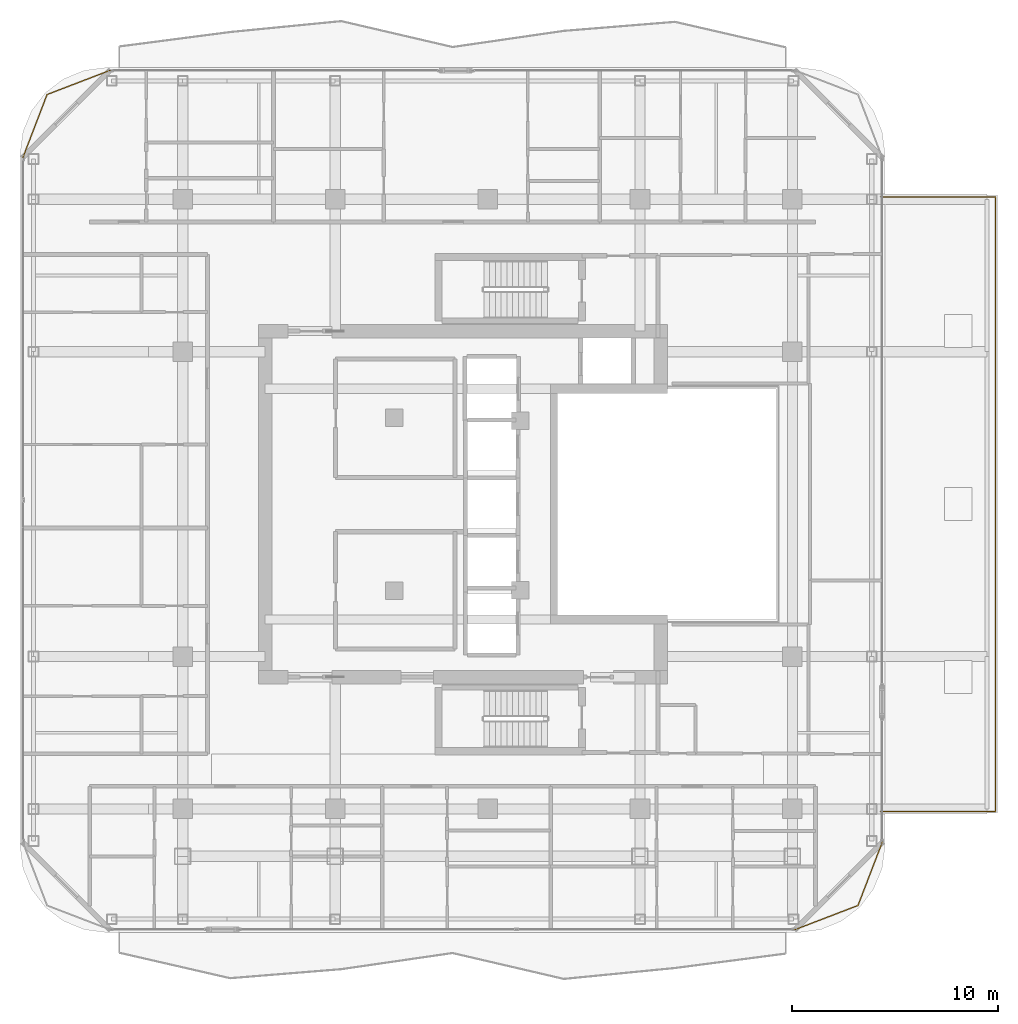
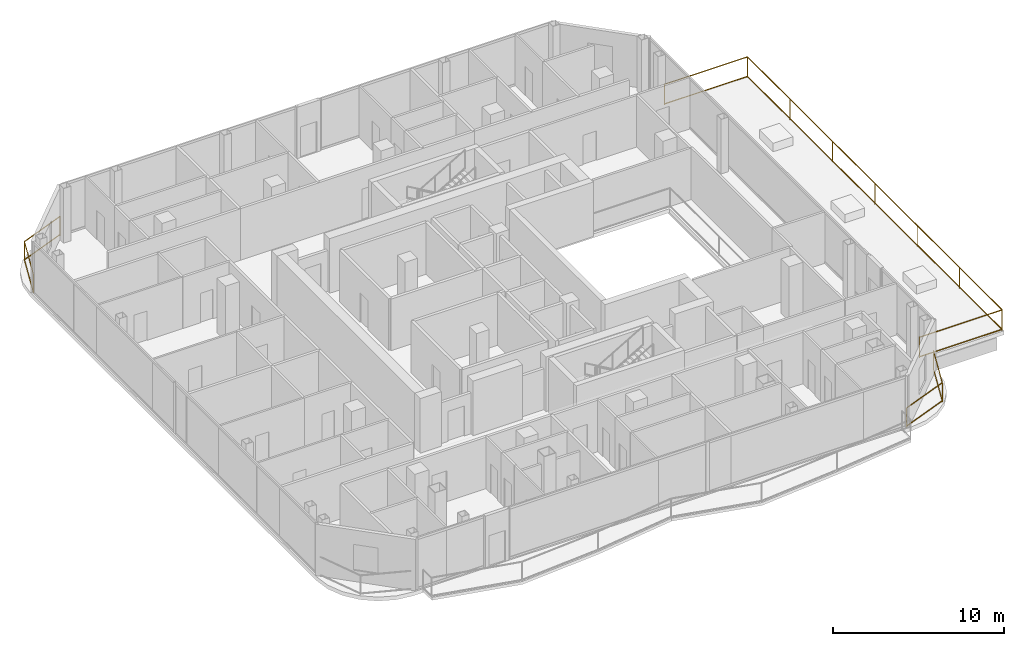
# One storey, part 23 of 24: 3 railings.
"""IFC4 building model written with IfcOpenShell, lengths in metres."""

from ifc_helpers import new_model, si_unit, direction, frame, origin, origin_2d, place, context, subcontext, project, spatial, rectangle, extrude, material, type_object, element, save


model = new_model("IFC4")

# Units and contexts
model_context = context("Model", 3, precision=1e-05, world=origin(), true_north=direction((0.0, 1.0)))
body_context = subcontext(model_context, "Body", "Model", "MODEL_VIEW")
ifc_project = project(units=[si_unit("LENGTHUNIT", "METRE"), si_unit("AREAUNIT", "SQUARE_METRE"), si_unit("VOLUMEUNIT", "CUBIC_METRE"), si_unit("PLANEANGLEUNIT", "RADIAN"), si_unit("MASSUNIT", "GRAM", prefix="KILO")], contexts=[model_context])

# Site, building, storey
site_placement = place(None, origin())
site = spatial("IfcSite", under=ifc_project, at=site_placement, CompositionType="ELEMENT")
building_placement = place(site_placement, origin())
building = spatial("IfcBuilding", under=site, at=building_placement, Name="Khorvyn Point Tower", CompositionType="ELEMENT")
storey_placement = place(building_placement, frame((0.0, 0.0, 285.89990234375)))
storey = spatial("IfcBuildingStorey", under=building, at=storey_placement, Name="L70", CompositionType="ELEMENT", Elevation=285.89990234375)

# Railings
ifc_material_1 = material(Name="Anodised aluminium 6063-T6 and laminated safety glass", Category="aluminium")
railing_type_1 = type_object("IfcRailingType", Name="Laminated Glass and Aluminium Balcony Guardrail 1400", PredefinedType="BALUSTRADE", material=ifc_material_1)
railing_1_placement = place(storey_placement, frame((-18.28662109375, 21.074462890625, 0.0)))
element("IfcRailing", 1, at=railing_1_placement, inside=storey, type_object=railing_type_1, Name="L70 Rounded Corner Edge Guardrail NW", PredefinedType="BALUSTRADE", context=body_context, shape_type="SweptSolid", body=[
    extrude(rectangle(XDim=0.048095703125, YDim=0.048095703125, at=origin_2d()), frame((0.0, 0.0, 1.3759765625), z_axis=(-0.93357103624, -0.358392411044, 0.0), x_axis=(0.358392411044, -0.93357103624, 0.0)), (0.0, 0.0, 1.0), 3.31884765625),
    extrude(rectangle(XDim=0.048095703125, YDim=0.048095703125, at=origin_2d()), frame((0.0, 0.0, 0.080078125), z_axis=(-0.93357103624, -0.358392411044, 0.0), x_axis=(0.358392411044, -0.93357103624, 0.0)), (0.0, 0.0, 1.0), 3.31884765625),
    extrude(rectangle(XDim=0.048095703125, YDim=0.048095703125, at=origin_2d()), frame((-3.098388671875, -1.189453125, 1.3759765625), z_axis=(-0.358392411044, -0.93357103624, 0.0), x_axis=(0.93357103624, -0.358392411044, 0.0)), (0.0, 0.0, 1.0), 3.31884765625),
    extrude(rectangle(XDim=0.048095703125, YDim=0.048095703125, at=origin_2d()), frame((-3.098388671875, -1.189453125, 0.080078125), z_axis=(-0.358392411044, -0.93357103624, 0.0), x_axis=(0.93357103624, -0.358392411044, 0.0)), (0.0, 0.0, 1.0), 3.31884765625),
    extrude(rectangle(XDim=0.0419921875, YDim=0.0419921875, at=origin_2d()), origin(), (0.0, 0.0, 1.0), 1.351806640625),
    extrude(rectangle(XDim=0.0419921875, YDim=0.0419921875, at=origin_2d()), frame((-3.098388671875, -1.189453125, 0.0)), (0.0, 0.0, 1.0), 1.351806640625),
    extrude(rectangle(XDim=0.0419921875, YDim=0.0419921875, at=origin_2d()), frame((-4.287841796875, -4.287841796875, 0.0)), (0.0, 0.0, 1.0), 1.351806640625),
])
railing_2_placement = place(storey_placement, frame((14.886474609375, -20.67431640625, 0.0)))
element("IfcRailing", 2, at=railing_2_placement, inside=storey, type_object=railing_type_1, Name="L70 Rounded Corner Edge Guardrail SE", PredefinedType="BALUSTRADE", context=body_context, shape_type="SweptSolid", body=[
    extrude(rectangle(XDim=0.048095703125, YDim=0.048095703125, at=origin_2d()), frame((0.0, 0.0, 1.3759765625), z_axis=(0.933605091831, 0.358303687544, 0.0), x_axis=(-0.358303687544, 0.933605091831, 0.0)), (0.0, 0.0, 1.0), 3.319091796875),
    extrude(rectangle(XDim=0.048095703125, YDim=0.048095703125, at=origin_2d()), frame((0.0, 0.0, 0.080078125), z_axis=(0.933605091831, 0.358303687544, 0.0), x_axis=(-0.358303687544, 0.933605091831, 0.0)), (0.0, 0.0, 1.0), 3.319091796875),
    extrude(rectangle(XDim=0.048095703125, YDim=0.048095703125, at=origin_2d()), frame((3.0986328125, 1.189208984375, 1.3759765625), z_axis=(0.358303687544, 0.933605091831, 0.0), x_axis=(-0.933605091831, 0.358303687544, 0.0)), (0.0, 0.0, 1.0), 3.319091796875),
    extrude(rectangle(XDim=0.048095703125, YDim=0.048095703125, at=origin_2d()), frame((3.0986328125, 1.189208984375, 0.080078125), z_axis=(0.358303687544, 0.933605091831, 0.0), x_axis=(-0.933605091831, 0.358303687544, 0.0)), (0.0, 0.0, 1.0), 3.319091796875),
    extrude(rectangle(XDim=0.0419921875, YDim=0.0419921875, at=origin_2d()), origin(), (0.0, 0.0, 1.0), 1.351806640625),
    extrude(rectangle(XDim=0.0419921875, YDim=0.0419921875, at=origin_2d()), frame((3.0986328125, 1.189208984375, 0.0)), (0.0, 0.0, 1.0), 1.351806640625),
    extrude(rectangle(XDim=0.0419921875, YDim=0.0419921875, at=origin_2d()), frame((4.287841796875, 4.287841796875, 0.0)), (0.0, 0.0, 1.0), 1.351806640625),
])
ifc_material_2 = material(Name="Stainless steel 1.4401", Category="steel")
railing_type_2 = type_object("IfcRailingType", Name="School Terrace Anti-Climb Safety Guardrail 1500", PredefinedType="GUARDRAIL", material=ifc_material_2)
railing_3_placement = place(storey_placement, frame((19.070068359375, -14.919921875, 0.0)))
element("IfcRailing", 3, at=railing_3_placement, inside=storey, type_object=railing_type_2, Name="L70 Setback Terrace Guardrail", PredefinedType="GUARDRAIL", context=body_context, shape_type="SweptSolid", body=[
    extrude(rectangle(XDim=0.048095703125, YDim=0.048095703125, at=origin_2d()), frame((0.0, 0.0, 1.47607421875), z_axis=(1.0, 0.0, 0.0), x_axis=(0.0, 1.0, 0.0)), (0.0, 0.0, 1.0), 5.599853515625),
    extrude(rectangle(XDim=0.048095703125, YDim=0.048095703125, at=origin_2d()), frame((0.0, 0.0, 0.080078125), z_axis=(1.0, 0.0, 0.0), x_axis=(0.0, 1.0, 0.0)), (0.0, 0.0, 1.0), 5.599853515625),
    extrude(rectangle(XDim=0.048095703125, YDim=0.048095703125, at=origin_2d()), frame((5.599853515625, 0.0, 1.47607421875), z_axis=(0.0, 1.0, 0.0), x_axis=(-1.0, 0.0, 0.0)), (0.0, 0.0, 1.0), 29.83984375),
    extrude(rectangle(XDim=0.048095703125, YDim=0.048095703125, at=origin_2d()), frame((5.599853515625, 0.0, 0.080078125), z_axis=(0.0, 1.0, 0.0), x_axis=(-1.0, 0.0, 0.0)), (0.0, 0.0, 1.0), 29.83984375),
    extrude(rectangle(XDim=0.048095703125, YDim=0.048095703125, at=origin_2d()), frame((5.599853515625, 29.83984375, 1.47607421875), z_axis=(-1.0, 0.0, 0.0), x_axis=(0.0, -1.0, 0.0)), (0.0, 0.0, 1.0), 5.599853515625),
    extrude(rectangle(XDim=0.048095703125, YDim=0.048095703125, at=origin_2d()), frame((5.599853515625, 29.83984375, 0.080078125), z_axis=(-1.0, 0.0, 0.0), x_axis=(0.0, -1.0, 0.0)), (0.0, 0.0, 1.0), 5.599853515625),
    extrude(rectangle(XDim=0.0419921875, YDim=0.0419921875, at=origin_2d()), origin(), (0.0, 0.0, 1.0), 1.451904296875),
    extrude(rectangle(XDim=0.0419921875, YDim=0.0419921875, at=origin_2d()), frame((5.599853515625, 0.0, 0.0)), (0.0, 0.0, 1.0), 1.451904296875),
    extrude(rectangle(XDim=0.0419921875, YDim=0.0419921875, at=origin_2d()), frame((5.599853515625, 4.973388671875, 0.0)), (0.0, 0.0, 1.0), 1.451904296875),
    extrude(rectangle(XDim=0.0419921875, YDim=0.0419921875, at=origin_2d()), frame((5.599853515625, 9.946533203125, 0.0)), (0.0, 0.0, 1.0), 1.451904296875),
    extrude(rectangle(XDim=0.0419921875, YDim=0.0419921875, at=origin_2d()), frame((5.599853515625, 14.919921875, 0.0)), (0.0, 0.0, 1.0), 1.451904296875),
    extrude(rectangle(XDim=0.0419921875, YDim=0.0419921875, at=origin_2d()), frame((5.599853515625, 19.893310546875, 0.0)), (0.0, 0.0, 1.0), 1.451904296875),
    extrude(rectangle(XDim=0.0419921875, YDim=0.0419921875, at=origin_2d()), frame((5.599853515625, 24.866455078125, 0.0)), (0.0, 0.0, 1.0), 1.451904296875),
    extrude(rectangle(XDim=0.0419921875, YDim=0.0419921875, at=origin_2d()), frame((5.599853515625, 29.83984375, 0.0)), (0.0, 0.0, 1.0), 1.451904296875),
    extrude(rectangle(XDim=0.0419921875, YDim=0.0419921875, at=origin_2d()), frame((0.0, 29.83984375, 0.0)), (0.0, 0.0, 1.0), 1.451904296875),
])

save(model, "model.ifc")
